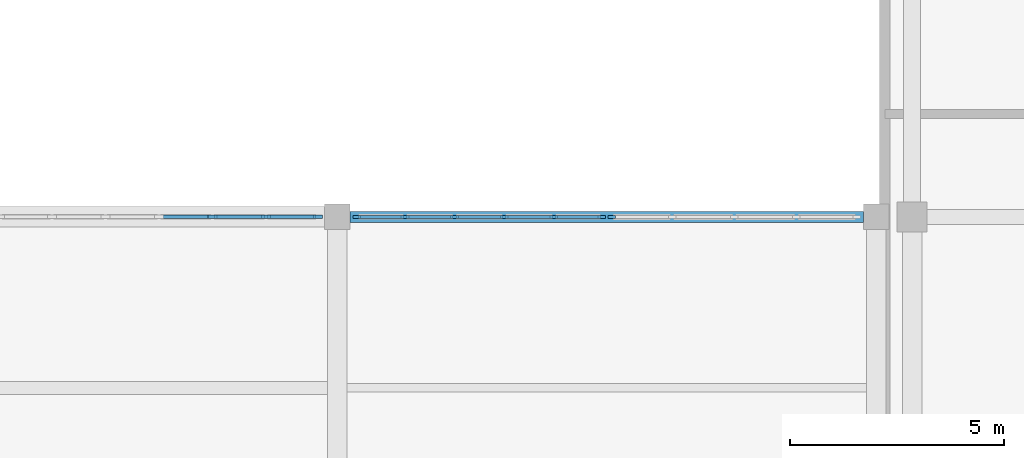
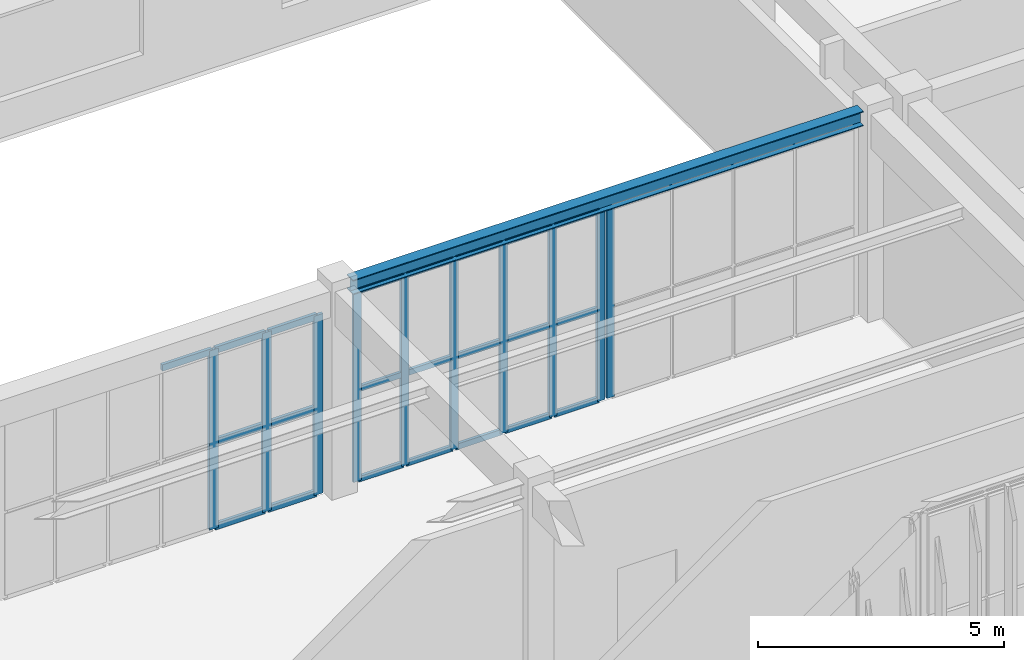
# One storey, part 19 of 64: 32 members, 1 beam, 3 elements without a shape of their own.
"""IFC4 building model written with IfcOpenShell, lengths in metres."""

from ifc_helpers import new_model, si_unit, direction, frame, origin, origin_2d, place, context, subcontext, project, spatial, rectangle, i_section, extrude, material, layer, layer_set, material_profile, profile_set, type_object, element, aggregate, save


model = new_model("IFC4")

# Units and contexts
model_context = context("Model", 3, precision=1e-05, world=origin(), true_north=direction((0.0, 1.0)))
body_context = subcontext(model_context, "Body", "Model", "MODEL_VIEW")
ifc_project = project(units=[si_unit("LENGTHUNIT", "METRE"), si_unit("AREAUNIT", "SQUARE_METRE"), si_unit("VOLUMEUNIT", "CUBIC_METRE"), si_unit("PLANEANGLEUNIT", "RADIAN"), si_unit("MASSUNIT", "GRAM", prefix="KILO")], contexts=[model_context])

# Site, building, storey
site_placement = place(None, origin())
site = spatial("IfcSite", under=ifc_project, at=site_placement, CompositionType="ELEMENT")
building_placement = place(site_placement, origin())
building = spatial("IfcBuilding", under=site, at=building_placement, Name="Cinchona Park Media Centre", CompositionType="ELEMENT")
storey_placement = place(building_placement, frame((0.0, 0.0, 10.199951171875)))
storey = spatial("IfcBuildingStorey", under=building, at=storey_placement, Name="L02", CompositionType="ELEMENT", Elevation=10.199951171875)

# Beam
ifc_material_1 = material(Name="Steel S355", Category="steel")
ifc_material_profile_1 = material_profile(ifc_material_1, i_section(OverallWidth=0.257080078125, OverallDepth=0.363037109375, WebThickness=0.012939453125, FlangeThickness=0.021728515625, at=origin_2d()), Name="W360X122")
ifc_profile_set_1 = profile_set([ifc_material_profile_1], Name="Steel S355")
beam_type = type_object("IfcBeamType", Name="BEAM-B08-W360X122", PredefinedType="BEAM", material=ifc_profile_set_1)
beam_placement = place(storey_placement, frame((127.10009765625, 87.60009765625, 4.978515625), z_axis=(1.0, 0.0, 0.0), x_axis=(0.0, 1.0, 0.0)))
element("IfcBeam", 1, at=beam_placement, inside=storey, type_object=beam_type, Name="Beam B08 L02", PredefinedType="BEAM", context=body_context, shape_type="SweptSolid", body=[
    extrude(i_section(OverallWidth=0.257080078125, OverallDepth=0.363037109375, WebThickness=0.012939453125, FlangeThickness=0.021728515625, at=origin_2d()), origin(), (0.0, 0.0, 1.0), 12.0),
])

# Curtain wall, members
ifc_material_2 = material(Name="Aluminium Curtain Wall Framing", Category="aluminium")
ifc_layer_1 = layer(ifc_material_2, 0.195068359375)
ifc_layer_set_1 = layer_set([ifc_layer_1], Name="Aluminium Curtain Wall Framing")
curtain_wall_type_1 = type_object("IfcCurtainWallType", Name="CW-CW02", PredefinedType="USERDEFINED", material=ifc_layer_set_1)
curtain_wall_1_placement = place(storey_placement, origin())
curtain_wall_1 = element("IfcCurtainWall", 2, at=curtain_wall_1_placement, inside=storey, type_object=curtain_wall_type_1, Name="Curtain Wall CW02 L02", ObjectType="UNITISED CURTAIN WALL", PredefinedType="USERDEFINED")
ifc_material_3 = material(Name="Anodised Aluminium Alloy 6063-T6", Category="aluminium")
ifc_material_profile_2 = material_profile(ifc_material_3, rectangle(XDim=0.070068359375, YDim=0.179931640625, at=origin_2d()), Name="MUL-70X180")
ifc_profile_set_2 = profile_set([ifc_material_profile_2], Name="Anodised Aluminium Alloy 6063-T6")
member_type_1 = type_object("IfcMemberType", Name="MULLION-MUL02", PredefinedType="MULLION", material=ifc_profile_set_2)
member_1_placement = place(storey_placement, frame((127.2548828125, 87.60009765625, 0.050048828125), z_axis=(0.0, 0.0, 1.0), x_axis=(0.0, 1.0, 0.0)))
member_1 = element("IfcMember", 3, at=member_1_placement, type_object=member_type_1, Name="CW02 mullion 1", PredefinedType="MULLION", context=body_context, shape_type="SweptSolid", body=[
    extrude(rectangle(XDim=0.070068359375, YDim=0.179931640625, at=origin_2d()), origin(), (0.0, 0.0, 1.0), 4.7470703125),
])
member_2_placement = place(storey_placement, frame((128.3798828125, 87.60009765625, 0.050048828125), z_axis=(0.0, 0.0, 1.0), x_axis=(0.0, 1.0, 0.0)))
member_2 = element("IfcMember", 4, at=member_2_placement, type_object=member_type_1, Name="CW02 mullion 2", PredefinedType="MULLION", context=body_context, shape_type="SweptSolid", body=[
    extrude(rectangle(XDim=0.070068359375, YDim=0.179931640625, at=origin_2d()), origin(), (0.0, 0.0, 1.0), 4.7470703125),
])
member_3_placement = place(storey_placement, frame((129.5400390625, 87.60009765625, 0.050048828125), z_axis=(0.0, 0.0, 1.0), x_axis=(0.0, 1.0, 0.0)))
member_3 = element("IfcMember", 5, at=member_3_placement, type_object=member_type_1, Name="CW02 mullion 3", PredefinedType="MULLION", context=body_context, shape_type="SweptSolid", body=[
    extrude(rectangle(XDim=0.070068359375, YDim=0.179931640625, at=origin_2d()), origin(), (0.0, 0.0, 1.0), 4.7470703125),
])
member_4_placement = place(storey_placement, frame((130.699951171875, 87.60009765625, 0.050048828125), z_axis=(0.0, 0.0, 1.0), x_axis=(0.0, 1.0, 0.0)))
member_4 = element("IfcMember", 6, at=member_4_placement, type_object=member_type_1, Name="CW02 mullion 4", PredefinedType="MULLION", context=body_context, shape_type="SweptSolid", body=[
    extrude(rectangle(XDim=0.070068359375, YDim=0.179931640625, at=origin_2d()), origin(), (0.0, 0.0, 1.0), 4.7470703125),
])
member_5_placement = place(storey_placement, frame((131.860107421875, 87.60009765625, 0.050048828125), z_axis=(0.0, 0.0, 1.0), x_axis=(0.0, 1.0, 0.0)))
member_5 = element("IfcMember", 7, at=member_5_placement, type_object=member_type_1, Name="CW02 mullion 5", PredefinedType="MULLION", context=body_context, shape_type="SweptSolid", body=[
    extrude(rectangle(XDim=0.070068359375, YDim=0.179931640625, at=origin_2d()), origin(), (0.0, 0.0, 1.0), 4.7470703125),
])
member_6_placement = place(storey_placement, frame((132.985107421875, 87.60009765625, 0.050048828125), z_axis=(0.0, 0.0, 1.0), x_axis=(0.0, 1.0, 0.0)))
member_6 = element("IfcMember", 8, at=member_6_placement, type_object=member_type_1, Name="CW02 mullion 6", PredefinedType="MULLION", context=body_context, shape_type="SweptSolid", body=[
    extrude(rectangle(XDim=0.070068359375, YDim=0.179931640625, at=origin_2d()), origin(), (0.0, 0.0, 1.0), 4.7470703125),
])

# Curtain wall, member
ifc_material_4 = material(Name="Aluminium Curtain Wall Framing", Category="aluminium")
ifc_layer_2 = layer(ifc_material_4, 0.2099609375)
ifc_layer_set_2 = layer_set([ifc_layer_2], Name="Aluminium Curtain Wall Framing")
curtain_wall_type_2 = type_object("IfcCurtainWallType", Name="CW-CW03", PredefinedType="USERDEFINED", material=ifc_layer_set_2)
curtain_wall_2_placement = place(storey_placement, origin())
curtain_wall_2 = element("IfcCurtainWall", 9, at=curtain_wall_2_placement, inside=storey, type_object=curtain_wall_type_2, Name="Curtain Wall CW03 L02", ObjectType="UNITISED CURTAIN WALL", PredefinedType="USERDEFINED")
member_7_placement = place(storey_placement, frame((133.215087890625, 87.60009765625, 0.050048828125), z_axis=(0.0, 0.0, 1.0), x_axis=(0.0, 1.0, 0.0)))
member_7 = element("IfcMember", 10, at=member_7_placement, type_object=member_type_1, Name="CW03 mullion 1", PredefinedType="MULLION", context=body_context, shape_type="SweptSolid", body=[
    extrude(rectangle(XDim=0.070068359375, YDim=0.179931640625, at=origin_2d()), origin(), (0.0, 0.0, 1.0), 4.7470703125),
])
aggregate(curtain_wall_2, [member_7])

# Curtain wall, members
ifc_material_5 = material(Name="Aluminium Curtain Wall Framing", Category="aluminium")
ifc_layer_3 = layer(ifc_material_5, 0.179931640625)
ifc_layer_set_3 = layer_set([ifc_layer_3], Name="Aluminium Curtain Wall Framing")
curtain_wall_type_3 = type_object("IfcCurtainWallType", Name="CW-CW01", PredefinedType="USERDEFINED", material=ifc_layer_set_3)
curtain_wall_3_placement = place(storey_placement, origin())
curtain_wall_3 = element("IfcCurtainWall", 11, at=curtain_wall_3_placement, inside=storey, type_object=curtain_wall_type_3, Name="Curtain Wall CW01 L02", ObjectType="UNITISED CURTAIN WALL", PredefinedType="USERDEFINED")
ifc_material_6 = material(Name="Anodised Aluminium Alloy 6063-T6", Category="aluminium")
ifc_material_profile_3 = material_profile(ifc_material_6, rectangle(XDim=0.074951171875, YDim=0.2099609375, at=origin_2d()), Name="MUL-75X210")
ifc_profile_set_3 = profile_set([ifc_material_profile_3], Name="Anodised Aluminium Alloy 6063-T6")
member_type_2 = type_object("IfcMemberType", Name="MULLION-MUL03", PredefinedType="MULLION", material=ifc_profile_set_3)
member_8_placement = place(storey_placement, frame((123.8798828125, 87.60009765625, 0.050048828125), z_axis=(0.0, 0.0, 1.0), x_axis=(0.0, 1.0, 0.0)))
member_8 = element("IfcMember", 12, at=member_8_placement, type_object=member_type_2, Name="CW01 mullion 5", PredefinedType="MULLION", context=body_context, shape_type="SweptSolid", body=[
    extrude(rectangle(XDim=0.074951171875, YDim=0.2099609375, at=origin_2d()), origin(), (0.0, 0.0, 1.0), 4.4599609375),
])
member_9_placement = place(storey_placement, frame((125.1298828125, 87.60009765625, 0.050048828125), z_axis=(0.0, 0.0, 1.0), x_axis=(0.0, 1.0, 0.0)))
member_9 = element("IfcMember", 13, at=member_9_placement, type_object=member_type_2, Name="CW01 mullion 6", PredefinedType="MULLION", context=body_context, shape_type="SweptSolid", body=[
    extrude(rectangle(XDim=0.074951171875, YDim=0.2099609375, at=origin_2d()), origin(), (0.0, 0.0, 1.0), 4.4599609375),
])
member_10_placement = place(storey_placement, frame((126.342529296875, 87.60009765625, 0.050048828125), z_axis=(0.0, 0.0, 1.0), x_axis=(0.0, 1.0, 0.0)))
member_10 = element("IfcMember", 14, at=member_10_placement, type_object=member_type_2, Name="CW01 mullion 7", PredefinedType="MULLION", context=body_context, shape_type="SweptSolid", body=[
    extrude(rectangle(XDim=0.074951171875, YDim=0.2099609375, at=origin_2d()), origin(), (0.0, 0.0, 1.0), 4.4599609375),
])

# Member
ifc_material_7 = material(Name="Anodised Aluminium Alloy 6063-T6", Category="aluminium")
ifc_material_profile_4 = material_profile(ifc_material_7, rectangle(XDim=0.070068359375, YDim=0.139892578125, at=origin_2d()), Name="TRN-70X140")
ifc_profile_set_4 = profile_set([ifc_material_profile_4], Name="Anodised Aluminium Alloy 6063-T6")
member_type_3 = type_object("IfcMemberType", Name="TRANSOM-TRN02", PredefinedType="USERDEFINED", material=ifc_profile_set_4)
member_11_placement = place(storey_placement, frame((127.2900390625, 87.60009765625, 0.0849609375), z_axis=(1.0, 0.0, 0.0), x_axis=(0.0, 1.0, 0.0)))
member_11 = element("IfcMember", 15, at=member_11_placement, type_object=member_type_3, Name="CW02 transom 1.1", ObjectType="TRANSOM", PredefinedType="USERDEFINED", context=body_context, shape_type="SweptSolid", body=[
    extrude(rectangle(XDim=0.070068359375, YDim=0.139892578125, at=origin_2d()), origin(), (0.0, 0.0, 1.0), 1.054931640625),
])

member_12_placement = place(storey_placement, frame((127.2900390625, 87.60009765625, 2.3291015625), z_axis=(1.0, 0.0, 0.0), x_axis=(0.0, 1.0, 0.0)))
member_12 = element("IfcMember", 16, at=member_12_placement, type_object=member_type_3, Name="CW02 transom 1.2", ObjectType="TRANSOM", PredefinedType="USERDEFINED", context=body_context, shape_type="SweptSolid", body=[
    extrude(rectangle(XDim=0.070068359375, YDim=0.139892578125, at=origin_2d()), origin(), (0.0, 0.0, 1.0), 1.054931640625),
])

member_13_placement = place(storey_placement, frame((127.2900390625, 87.60009765625, 4.761962890625), z_axis=(1.0, 0.0, 0.0), x_axis=(0.0, 1.0, 0.0)))
member_13 = element("IfcMember", 17, at=member_13_placement, type_object=member_type_3, Name="CW02 transom 1.3", ObjectType="TRANSOM", PredefinedType="USERDEFINED", context=body_context, shape_type="SweptSolid", body=[
    extrude(rectangle(XDim=0.070068359375, YDim=0.139892578125, at=origin_2d()), origin(), (0.0, 0.0, 1.0), 1.054931640625),
])

member_14_placement = place(storey_placement, frame((128.4150390625, 87.60009765625, 0.0849609375), z_axis=(1.0, 0.0, 0.0), x_axis=(0.0, 1.0, 0.0)))
member_14 = element("IfcMember", 18, at=member_14_placement, type_object=member_type_3, Name="CW02 transom 2.1", ObjectType="TRANSOM", PredefinedType="USERDEFINED", context=body_context, shape_type="SweptSolid", body=[
    extrude(rectangle(XDim=0.070068359375, YDim=0.139892578125, at=origin_2d()), origin(), (0.0, 0.0, 1.0), 1.08984375),
])

member_15_placement = place(storey_placement, frame((128.4150390625, 87.60009765625, 2.3291015625), z_axis=(1.0, 0.0, 0.0), x_axis=(0.0, 1.0, 0.0)))
member_15 = element("IfcMember", 19, at=member_15_placement, type_object=member_type_3, Name="CW02 transom 2.2", ObjectType="TRANSOM", PredefinedType="USERDEFINED", context=body_context, shape_type="SweptSolid", body=[
    extrude(rectangle(XDim=0.070068359375, YDim=0.139892578125, at=origin_2d()), origin(), (0.0, 0.0, 1.0), 1.08984375),
])

member_16_placement = place(storey_placement, frame((128.4150390625, 87.60009765625, 4.761962890625), z_axis=(1.0, 0.0, 0.0), x_axis=(0.0, 1.0, 0.0)))
member_16 = element("IfcMember", 20, at=member_16_placement, type_object=member_type_3, Name="CW02 transom 2.3", ObjectType="TRANSOM", PredefinedType="USERDEFINED", context=body_context, shape_type="SweptSolid", body=[
    extrude(rectangle(XDim=0.070068359375, YDim=0.139892578125, at=origin_2d()), origin(), (0.0, 0.0, 1.0), 1.08984375),
])

member_17_placement = place(storey_placement, frame((129.574951171875, 87.60009765625, 0.0849609375), z_axis=(1.0, 0.0, 0.0), x_axis=(0.0, 1.0, 0.0)))
member_17 = element("IfcMember", 21, at=member_17_placement, type_object=member_type_3, Name="CW02 transom 3.1", ObjectType="TRANSOM", PredefinedType="USERDEFINED", context=body_context, shape_type="SweptSolid", body=[
    extrude(rectangle(XDim=0.070068359375, YDim=0.139892578125, at=origin_2d()), origin(), (0.0, 0.0, 1.0), 1.090087890625),
])

member_18_placement = place(storey_placement, frame((129.574951171875, 87.60009765625, 2.3291015625), z_axis=(1.0, 0.0, 0.0), x_axis=(0.0, 1.0, 0.0)))
member_18 = element("IfcMember", 22, at=member_18_placement, type_object=member_type_3, Name="CW02 transom 3.2", ObjectType="TRANSOM", PredefinedType="USERDEFINED", context=body_context, shape_type="SweptSolid", body=[
    extrude(rectangle(XDim=0.070068359375, YDim=0.139892578125, at=origin_2d()), origin(), (0.0, 0.0, 1.0), 1.090087890625),
])

member_19_placement = place(storey_placement, frame((129.574951171875, 87.60009765625, 4.761962890625), z_axis=(1.0, 0.0, 0.0), x_axis=(0.0, 1.0, 0.0)))
member_19 = element("IfcMember", 23, at=member_19_placement, type_object=member_type_3, Name="CW02 transom 3.3", ObjectType="TRANSOM", PredefinedType="USERDEFINED", context=body_context, shape_type="SweptSolid", body=[
    extrude(rectangle(XDim=0.070068359375, YDim=0.139892578125, at=origin_2d()), origin(), (0.0, 0.0, 1.0), 1.090087890625),
])

member_20_placement = place(storey_placement, frame((130.735107421875, 87.60009765625, 0.0849609375), z_axis=(1.0, 0.0, 0.0), x_axis=(0.0, 1.0, 0.0)))
member_20 = element("IfcMember", 24, at=member_20_placement, type_object=member_type_3, Name="CW02 transom 4.1", ObjectType="TRANSOM", PredefinedType="USERDEFINED", context=body_context, shape_type="SweptSolid", body=[
    extrude(rectangle(XDim=0.070068359375, YDim=0.139892578125, at=origin_2d()), origin(), (0.0, 0.0, 1.0), 1.08984375),
])

member_21_placement = place(storey_placement, frame((130.735107421875, 87.60009765625, 2.3291015625), z_axis=(1.0, 0.0, 0.0), x_axis=(0.0, 1.0, 0.0)))
member_21 = element("IfcMember", 25, at=member_21_placement, type_object=member_type_3, Name="CW02 transom 4.2", ObjectType="TRANSOM", PredefinedType="USERDEFINED", context=body_context, shape_type="SweptSolid", body=[
    extrude(rectangle(XDim=0.070068359375, YDim=0.139892578125, at=origin_2d()), origin(), (0.0, 0.0, 1.0), 1.08984375),
])

member_22_placement = place(storey_placement, frame((130.735107421875, 87.60009765625, 4.761962890625), z_axis=(1.0, 0.0, 0.0), x_axis=(0.0, 1.0, 0.0)))
member_22 = element("IfcMember", 26, at=member_22_placement, type_object=member_type_3, Name="CW02 transom 4.3", ObjectType="TRANSOM", PredefinedType="USERDEFINED", context=body_context, shape_type="SweptSolid", body=[
    extrude(rectangle(XDim=0.070068359375, YDim=0.139892578125, at=origin_2d()), origin(), (0.0, 0.0, 1.0), 1.08984375),
])

member_23_placement = place(storey_placement, frame((131.89501953125, 87.60009765625, 0.0849609375), z_axis=(1.0, 0.0, 0.0), x_axis=(0.0, 1.0, 0.0)))
member_23 = element("IfcMember", 27, at=member_23_placement, type_object=member_type_3, Name="CW02 transom 5.1", ObjectType="TRANSOM", PredefinedType="USERDEFINED", context=body_context, shape_type="SweptSolid", body=[
    extrude(rectangle(XDim=0.070068359375, YDim=0.139892578125, at=origin_2d()), origin(), (0.0, 0.0, 1.0), 1.054931640625),
])

member_24_placement = place(storey_placement, frame((131.89501953125, 87.60009765625, 2.3291015625), z_axis=(1.0, 0.0, 0.0), x_axis=(0.0, 1.0, 0.0)))
member_24 = element("IfcMember", 28, at=member_24_placement, type_object=member_type_3, Name="CW02 transom 5.2", ObjectType="TRANSOM", PredefinedType="USERDEFINED", context=body_context, shape_type="SweptSolid", body=[
    extrude(rectangle(XDim=0.070068359375, YDim=0.139892578125, at=origin_2d()), origin(), (0.0, 0.0, 1.0), 1.054931640625),
])

member_25_placement = place(storey_placement, frame((131.89501953125, 87.60009765625, 4.761962890625), z_axis=(1.0, 0.0, 0.0), x_axis=(0.0, 1.0, 0.0)))
member_25 = element("IfcMember", 29, at=member_25_placement, type_object=member_type_3, Name="CW02 transom 5.3", ObjectType="TRANSOM", PredefinedType="USERDEFINED", context=body_context, shape_type="SweptSolid", body=[
    extrude(rectangle(XDim=0.070068359375, YDim=0.139892578125, at=origin_2d()), origin(), (0.0, 0.0, 1.0), 1.054931640625),
])

aggregate(curtain_wall_1, [member_1, member_2, member_3, member_4, member_5, member_6, member_11, member_12, member_13, member_14, member_15, member_16, member_17, member_18, member_19, member_20, member_21, member_22, member_23, member_24, member_25])

ifc_material_8 = material(Name="Anodised Aluminium Alloy 6063-T6", Category="aluminium")
ifc_material_profile_5 = material_profile(ifc_material_8, rectangle(XDim=0.074951171875, YDim=0.159912109375, at=origin_2d()), Name="TRN-75X160")
ifc_profile_set_5 = profile_set([ifc_material_profile_5], Name="Anodised Aluminium Alloy 6063-T6")
member_type_4 = type_object("IfcMemberType", Name="TRANSOM-TRN03", PredefinedType="USERDEFINED", material=ifc_profile_set_5)
member_26_placement = place(storey_placement, frame((122.66748046875, 87.60009765625, 4.47265625), z_axis=(1.0, 0.0, 0.0), x_axis=(0.0, 1.0, 0.0)))
member_26 = element("IfcMember", 30, at=member_26_placement, type_object=member_type_4, Name="CW01 transom 4.3", ObjectType="TRANSOM", PredefinedType="USERDEFINED", context=body_context, shape_type="SweptSolid", body=[
    extrude(rectangle(XDim=0.074951171875, YDim=0.159912109375, at=origin_2d()), origin(), (0.0, 0.0, 1.0), 1.175048828125),
])

member_27_placement = place(storey_placement, frame((123.91748046875, 87.60009765625, 0.087646484375), z_axis=(1.0, 0.0, 0.0), x_axis=(0.0, 1.0, 0.0)))
member_27 = element("IfcMember", 31, at=member_27_placement, type_object=member_type_4, Name="CW01 transom 5.1", ObjectType="TRANSOM", PredefinedType="USERDEFINED", context=body_context, shape_type="SweptSolid", body=[
    extrude(rectangle(XDim=0.074951171875, YDim=0.159912109375, at=origin_2d()), origin(), (0.0, 0.0, 1.0), 1.175048828125),
])

member_28_placement = place(storey_placement, frame((123.91748046875, 87.60009765625, 2.191162109375), z_axis=(1.0, 0.0, 0.0), x_axis=(0.0, 1.0, 0.0)))
member_28 = element("IfcMember", 32, at=member_28_placement, type_object=member_type_4, Name="CW01 transom 5.2", ObjectType="TRANSOM", PredefinedType="USERDEFINED", context=body_context, shape_type="SweptSolid", body=[
    extrude(rectangle(XDim=0.074951171875, YDim=0.159912109375, at=origin_2d()), origin(), (0.0, 0.0, 1.0), 1.175048828125),
])

member_29_placement = place(storey_placement, frame((123.91748046875, 87.60009765625, 4.47265625), z_axis=(1.0, 0.0, 0.0), x_axis=(0.0, 1.0, 0.0)))
member_29 = element("IfcMember", 33, at=member_29_placement, type_object=member_type_4, Name="CW01 transom 5.3", ObjectType="TRANSOM", PredefinedType="USERDEFINED", context=body_context, shape_type="SweptSolid", body=[
    extrude(rectangle(XDim=0.074951171875, YDim=0.159912109375, at=origin_2d()), origin(), (0.0, 0.0, 1.0), 1.175048828125),
])

member_30_placement = place(storey_placement, frame((125.16748046875, 87.60009765625, 0.087646484375), z_axis=(1.0, 0.0, 0.0), x_axis=(0.0, 1.0, 0.0)))
member_30 = element("IfcMember", 34, at=member_30_placement, type_object=member_type_4, Name="CW01 transom 6.1", ObjectType="TRANSOM", PredefinedType="USERDEFINED", context=body_context, shape_type="SweptSolid", body=[
    extrude(rectangle(XDim=0.074951171875, YDim=0.159912109375, at=origin_2d()), origin(), (0.0, 0.0, 1.0), 1.137451171875),
])

member_31_placement = place(storey_placement, frame((125.16748046875, 87.60009765625, 2.191162109375), z_axis=(1.0, 0.0, 0.0), x_axis=(0.0, 1.0, 0.0)))
member_31 = element("IfcMember", 35, at=member_31_placement, type_object=member_type_4, Name="CW01 transom 6.2", ObjectType="TRANSOM", PredefinedType="USERDEFINED", context=body_context, shape_type="SweptSolid", body=[
    extrude(rectangle(XDim=0.074951171875, YDim=0.159912109375, at=origin_2d()), origin(), (0.0, 0.0, 1.0), 1.137451171875),
])

member_32_placement = place(storey_placement, frame((125.16748046875, 87.60009765625, 4.47265625), z_axis=(1.0, 0.0, 0.0), x_axis=(0.0, 1.0, 0.0)))
member_32 = element("IfcMember", 36, at=member_32_placement, type_object=member_type_4, Name="CW01 transom 6.3", ObjectType="TRANSOM", PredefinedType="USERDEFINED", context=body_context, shape_type="SweptSolid", body=[
    extrude(rectangle(XDim=0.074951171875, YDim=0.159912109375, at=origin_2d()), origin(), (0.0, 0.0, 1.0), 1.137451171875),
])

aggregate(curtain_wall_3, [member_8, member_9, member_10, member_26, member_27, member_28, member_29, member_30, member_31, member_32])

save(model, "model.ifc")
